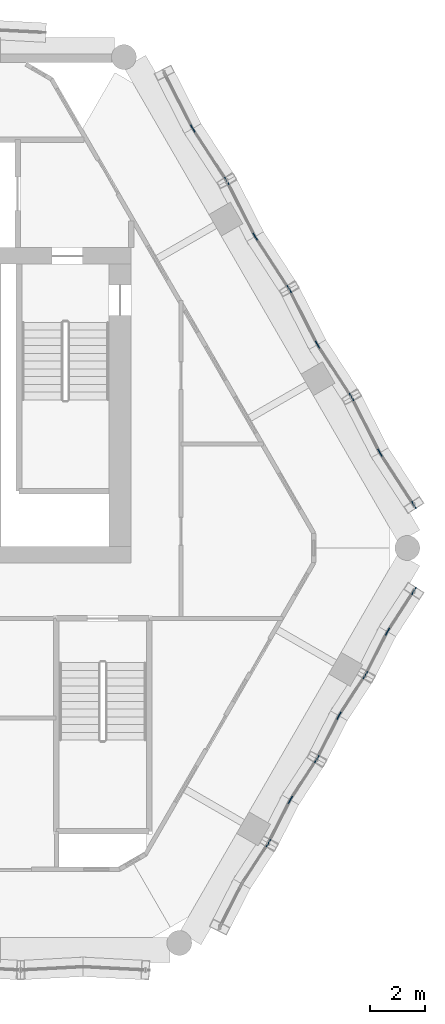
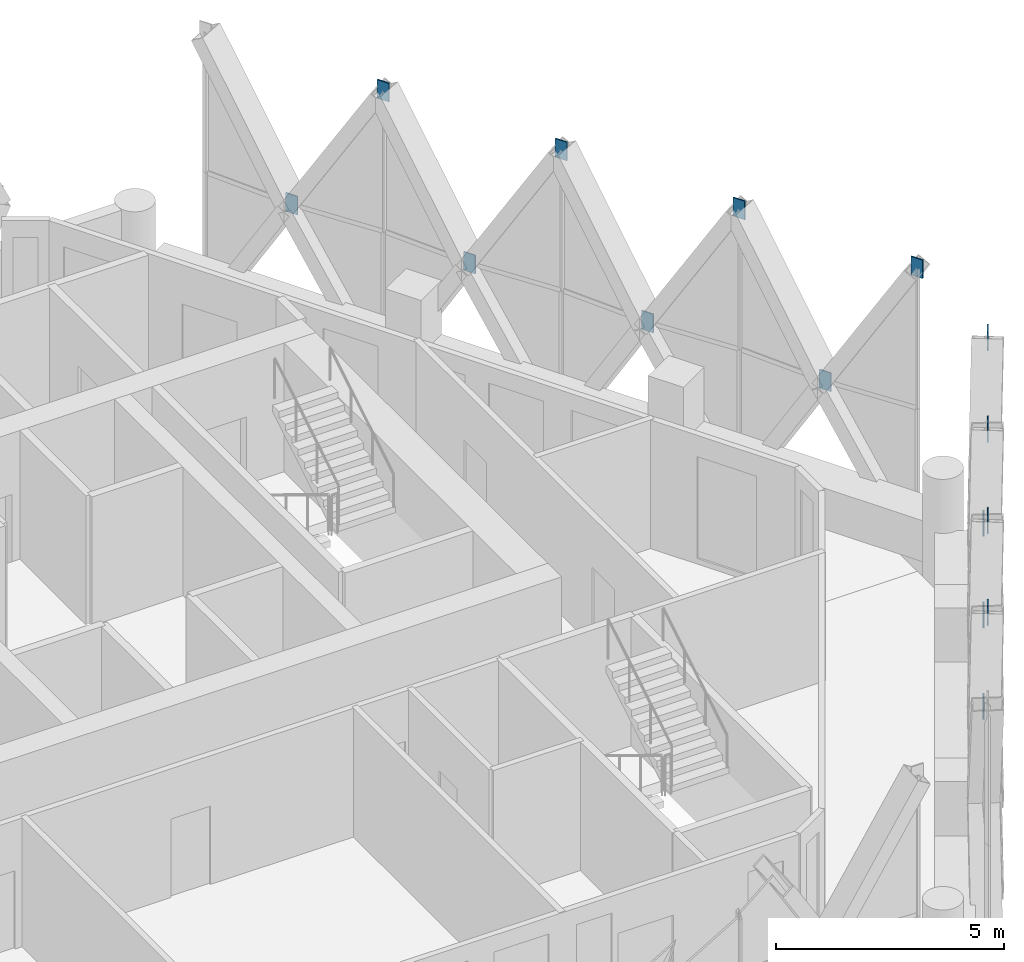
# One storey, part 25 of 27: 15 discrete accessories.
"""IFC4 building model written with IfcOpenShell, lengths in metres."""

from ifc_helpers import new_model, si_unit, direction, frame, origin, origin_2d, place, context, subcontext, project, spatial, rectangle, extrude, material, layer, layer_set, type_object, element, save


model = new_model("IFC4")

# Units and contexts
model_context = context("Model", 3, precision=1e-05, world=origin(), true_north=direction((0.0, 1.0)))
body_context = subcontext(model_context, "Body", "Model", "MODEL_VIEW")
ifc_project = project(units=[si_unit("LENGTHUNIT", "METRE"), si_unit("AREAUNIT", "SQUARE_METRE"), si_unit("VOLUMEUNIT", "CUBIC_METRE"), si_unit("PLANEANGLEUNIT", "RADIAN"), si_unit("MASSUNIT", "GRAM", prefix="KILO")], contexts=[model_context])

# Site, building, storey
site_placement = place(None, origin())
site = spatial("IfcSite", under=ifc_project, at=site_placement, CompositionType="ELEMENT")
building_placement = place(site_placement, origin())
building = spatial("IfcBuilding", under=site, at=building_placement, Name="Ostrander Bayou Hotel Tower", CompositionType="ELEMENT")
storey_placement = place(building_placement, frame((0.0, 0.0, 267.5)))
storey = spatial("IfcBuildingStorey", under=building, at=storey_placement, Name="L66", CompositionType="ELEMENT", Elevation=267.5)

# Discrete accessories
ifc_material = material(Name="Steel ASTM A572 Gr 50", Category="steel")
ifc_layer = layer(ifc_material, 0.030029296875)
ifc_layer_set = layer_set([ifc_layer], Name="GP1 gusset plate 30 mm")
discrete_accessory_type = type_object("IfcDiscreteAccessoryType", Name="GP1 gusset plate 30 mm", PredefinedType="BRACKET", material=ifc_layer_set)
for number, where, z_axis, x_axis, name in (
    (1, (13.4619140625, -11.823486328125, 6.64990234375), (0.0, 0.0, 1.0), (0.5, 0.866025403784, 0.0), "GP1 gusset plate lat 541"),
    (2, (14.25927734375, -10.25830078125, 2.89990234375), (0.0, 0.0, 1.0), (0.5, 0.866025403784, 0.0), "GP1 gusset plate lat 542"),
    (3, (15.216064453125, -8.784912109375, 6.64990234375), (0.0, 0.0, 1.0), (0.5, 0.866025403784, 0.0), "GP1 gusset plate lat 543"),
    (4, (16.013671875, -7.2197265625, 2.89990234375), (0.0, 0.0, 1.0), (0.5, 0.866025403784, 0.0), "GP1 gusset plate lat 544"),
    (5, (16.970458984375, -5.74658203125, 6.64990234375), (0.0, 0.0, 1.0), (0.5, 0.866025403784, 0.0), "GP1 gusset plate lat 545"),
    (6, (17.767822265625, -4.181396484375, 2.89990234375), (0.0, 0.0, 1.0), (0.5, 0.866025403784, 0.0), "GP1 gusset plate lat 546"),
    (7, (18.724609375, -2.7080078125, 6.64990234375), (0.0, 0.0, 1.0), (0.5, 0.866025403784, 0.0), "GP1 gusset plate lat 547"),
    (8, (17.494873046875, 2.288818359375, 2.89990234375), (0.0, 0.0, 1.0), (-0.5, 0.866025403784, 0.0), "GP1 gusset plate lat 548"),
    (9, (18.724609375, 0.39501953125, 6.64990234375), (0.0, 0.0, 1.0), (-0.5, 0.866025403784, 0.0), "GP1 gusset plate lat 549"),
    (10, (16.469482421875, 4.30078125, 6.64990234375), (0.0, 0.0, 1.0), (-0.5, 0.866025403784, 0.0), "GP1 gusset plate lat 550"),
    (11, (15.23974609375, 6.194580078125, 2.89990234375), (0.0, 0.0, 1.0), (-0.5, 0.866025403784, 0.0), "GP1 gusset plate lat 551"),
    (12, (14.214599609375, 8.206787109375, 6.64990234375), (0.0, 0.0, 1.0), (-0.5, 0.866025403784, 0.0), "GP1 gusset plate lat 552"),
    (13, (12.984619140625, 10.1005859375, 2.89990234375), (0.0, 0.0, 1.0), (-0.5, 0.866025403784, 0.0), "GP1 gusset plate lat 553"),
    (14, (11.95947265625, 12.112548828125, 6.64990234375), (0.0, 0.0, 1.0), (-0.5, 0.866025403784, 0.0), "GP1 gusset plate lat 554"),
    (15, (10.7294921875, 14.006591796875, 2.89990234375), (0.0, 0.0, 1.0), (-0.5, 0.866025403784, 0.0), "GP1 gusset plate lat 555"),
):
    element("IfcDiscreteAccessory", number, at=place(storey_placement, frame(where, z_axis=z_axis, x_axis=x_axis)), inside=storey, type_object=discrete_accessory_type, Name=name, PredefinedType="BRACKET", context=body_context, shape_type="SweptSolid", body=[
        extrude(rectangle(XDim=0.300048828125, YDim=0.030029296875, at=origin_2d()), origin(), (0.0, 0.0, 1.0), 0.5),
    ])

save(model, "model.ifc")
